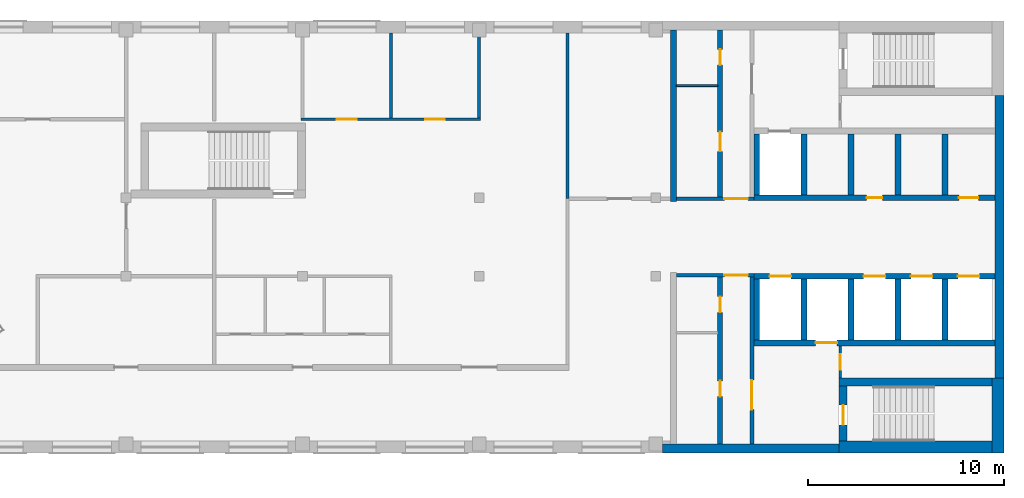
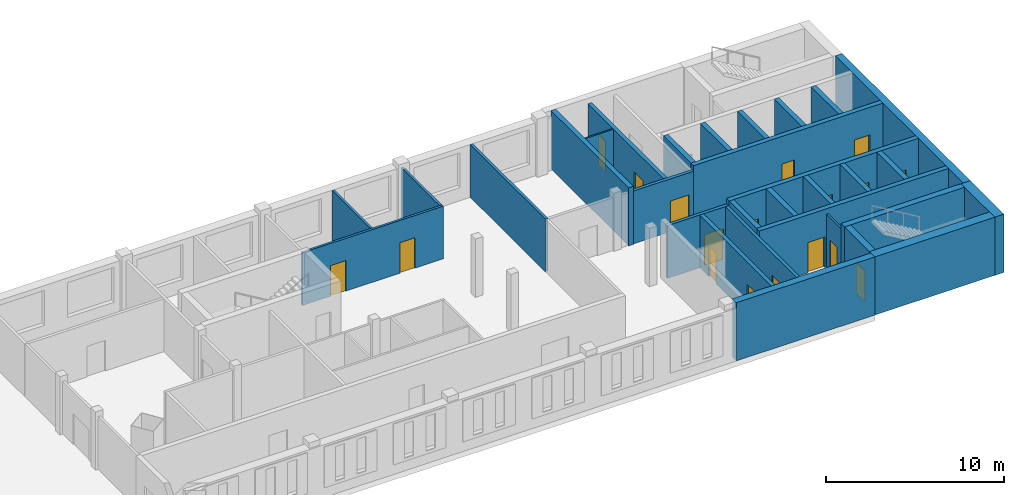
# One storey, part 3 of 5: 31 walls, 18 doors, 18 openings.
"""IFC4 building model written with IfcOpenShell, lengths in metres."""

from ifc_helpers import new_model, si_unit, direction, frame, frame_2d, origin, place, context, subcontext, project, spatial, rectangle, extrude, material, layer, layer_set, type_object, element, fill, save


model = new_model("IFC4")

# Units and contexts
model_context = context("Model", 3, precision=1e-05, world=origin(), true_north=direction((0.0, 1.0)))
body_context = subcontext(model_context, "Body", "Model", "MODEL_VIEW")
ifc_project = project(units=[si_unit("LENGTHUNIT", "METRE"), si_unit("AREAUNIT", "SQUARE_METRE"), si_unit("VOLUMEUNIT", "CUBIC_METRE"), si_unit("PLANEANGLEUNIT", "RADIAN"), si_unit("MASSUNIT", "GRAM", prefix="KILO")], contexts=[model_context])

# Site, building, storey
site_placement = place(None, origin())
site = spatial("IfcSite", under=ifc_project, at=site_placement, CompositionType="ELEMENT")
building_placement = place(site_placement, origin())
building = spatial("IfcBuilding", under=site, at=building_placement, Name="Skarvind Civic Tower", CompositionType="ELEMENT")
storey_placement = place(building_placement, frame((0.0, 0.0, 245.5)))
storey = spatial("IfcBuildingStorey", under=building, at=storey_placement, Name="L58", CompositionType="ELEMENT", Elevation=245.5)

# Wall
ifc_material_1 = material(Name="Acoustic gypsum board on steel studs", Category="steel")
ifc_layer_1 = layer(ifc_material_1, 0.175048828125)
ifc_layer_set_1 = layer_set([ifc_layer_1], Name="ACOUSTIC MEETING-ROOM PARTITION 175")
wall_type_1 = type_object("IfcWallType", Name="ACOUSTIC MEETING-ROOM PARTITION 175", PredefinedType="PARTITIONING", material=ifc_layer_set_1)
wall_1_placement = place(storey_placement, frame((85.75, 129.949951171875, 0.0), z_axis=(0.0, 0.0, 1.0), x_axis=(0.0, 1.0, 0.0)))
element("IfcWall", 1, at=wall_1_placement, inside=storey, type_object=wall_type_1, Name="Partition 58.021", PredefinedType="PARTITIONING", context=body_context, shape_type="SweptSolid", body=[
    extrude(rectangle(XDim=8.449951171875, YDim=0.175048828125, at=frame_2d((4.22509765625, 0.0))), origin(), (0.0, 0.0, 1.0), 3.625),
])

# Wall, opening, door
ifc_material_2 = material(Name="Fire-rated masonry partition", Category="masonry")
ifc_layer_2 = layer(ifc_material_2, 0.199951171875)
ifc_layer_set_2 = layer_set([ifc_layer_2], Name="Core enclosure wall 200")
wall_type_2 = type_object("IfcWallType", Name="Core enclosure wall 200", PredefinedType="PARTITIONING", material=ifc_layer_set_2)
wall_2_placement = place(storey_placement, frame((95.25, 126.050048828125, 0.0), z_axis=(0.0, 0.0, 1.0), x_axis=(-1.0, 0.0, 0.0)))
wall_2 = element("IfcWall", 2, at=wall_2_placement, inside=storey, type_object=wall_type_2, Name="Core wall C1", PredefinedType="PARTITIONING", context=body_context, shape_type="SweptSolid", body=[
    extrude(rectangle(XDim=3.949951171875, YDim=0.199951171875, at=frame_2d((1.97509765625, 0.0))), origin(), (0.0, 0.0, 1.0), 3.625),
])
opening_1_placement = place(wall_2_placement, frame((0.300048828125, 0.0, 0.0)))
opening_1 = element("IfcOpeningElement", 3, at=opening_1_placement, cuts=wall_2, Name="Opening D-L58-C1-07", PredefinedType="OPENING", context=body_context, shape_type="SweptSolid", body=[
    extrude(rectangle(XDim=1.199951171875, YDim=2.10009765625, at=frame_2d((0.60009765625, 1.050048828125))), frame((0.0, 0.10986328125, 0.0), z_axis=(0.0, -1.0, 0.0), x_axis=(1.0, 0.0, 0.0)), (0.0, 0.0, 1.0), 0.219970703125),
])
ifc_material_3 = material(Name="Fire-rated steel door", Category="steel")
door_type_1 = type_object("IfcDoorType", Name="Core lobby door 1200", OperationType="NOTDEFINED", PredefinedType="DOOR", material=ifc_material_3)
door_1_placement = place(opening_1_placement, origin())
door_1 = element("IfcDoor", 4, at=door_1_placement, inside=storey, type_object=door_type_1, Name="Fire door", OperationType="DOUBLE_DOOR_SINGLE_SWING", OverallHeight=2.10009765625, OverallWidth=1.199951171875, PredefinedType="DOOR", context=body_context, shape_type="SweptSolid", body=[
    extrude(rectangle(XDim=1.199951171875, YDim=2.10009765625, at=frame_2d((0.60009765625, 1.050048828125))), frame((0.0, 0.02490234375, 0.0), z_axis=(0.0, -1.0, 0.0), x_axis=(1.0, 0.0, 0.0)), (0.0, 0.0, 1.0), 0.050048828125),
])
fill(opening_1, door_1)

wall_3_placement = place(storey_placement, frame((95.14990234375, 117.449951171875, 0.0), z_axis=(0.0, 0.0, 1.0), x_axis=(0.0, 1.0, 0.0)))
wall_3 = element("IfcWall", 5, at=wall_3_placement, inside=storey, type_object=wall_type_2, Name="Core wall C1", PredefinedType="PARTITIONING", context=body_context, shape_type="SweptSolid", body=[
    extrude(rectangle(XDim=8.5, YDim=0.199951171875, at=frame_2d((4.25, 0.0))), origin(), (0.0, 0.0, 1.0), 3.625),
])
opening_2_placement = place(wall_3_placement, frame((1.75, 0.0, 0.0)))
opening_2 = element("IfcOpeningElement", 6, at=opening_2_placement, cuts=wall_3, Name="Opening D-L58-C1-08", PredefinedType="OPENING", context=body_context, shape_type="SweptSolid", body=[
    extrude(rectangle(XDim=1.5, YDim=2.10009765625, at=frame_2d((0.75, 1.050048828125))), frame((0.0, 0.10986328125, 0.0), z_axis=(0.0, -1.0, 0.0), x_axis=(1.0, 0.0, 0.0)), (0.0, 0.0, 1.0), 0.219970703125),
])
door_type_2 = type_object("IfcDoorType", Name="Fire door 1500", OperationType="NOTDEFINED", PredefinedType="DOOR", material=ifc_material_3)
door_2_placement = place(opening_2_placement, origin())
door_2 = element("IfcDoor", 7, at=door_2_placement, inside=storey, type_object=door_type_2, Name="Fire door", OperationType="DOUBLE_DOOR_SINGLE_SWING", OverallHeight=2.10009765625, OverallWidth=1.5, PredefinedType="DOOR", context=body_context, shape_type="SweptSolid", body=[
    extrude(rectangle(XDim=1.5, YDim=2.10009765625, at=frame_2d((0.75, 1.050048828125))), frame((0.0, 0.02490234375, 0.0), z_axis=(0.0, -1.0, 0.0), x_axis=(1.0, 0.0, 0.0)), (0.0, 0.0, 1.0), 0.050048828125),
])
fill(opening_2, door_2)

wall_4_placement = place(storey_placement, frame((91.300048828125, 129.949951171875, 0.0), z_axis=(0.0, 0.0, 1.0), x_axis=(1.0, 0.0, 0.0)))
wall_4 = element("IfcWall", 8, at=wall_4_placement, inside=storey, type_object=wall_type_2, Name="Core wall C1", PredefinedType="PARTITIONING", context=body_context, shape_type="SweptSolid", body=[
    extrude(rectangle(XDim=3.949951171875, YDim=0.199951171875, at=frame_2d((1.97509765625, 0.0))), origin(), (0.0, 0.0, 1.0), 3.625),
])
opening_3_placement = place(wall_4_placement, frame((2.449951171875, 0.0, 0.0)))
opening_3 = element("IfcOpeningElement", 9, at=opening_3_placement, cuts=wall_4, Name="Opening D-L58-C1-13", PredefinedType="OPENING", context=body_context, shape_type="SweptSolid", body=[
    extrude(rectangle(XDim=1.199951171875, YDim=2.10009765625, at=frame_2d((0.60009765625, 1.050048828125))), frame((0.0, 0.10986328125, 0.0), z_axis=(0.0, -1.0, 0.0), x_axis=(1.0, 0.0, 0.0)), (0.0, 0.0, 1.0), 0.219970703125),
])
door_3_placement = place(opening_3_placement, origin())
door_3 = element("IfcDoor", 10, at=door_3_placement, inside=storey, type_object=door_type_1, Name="Fire door", OperationType="DOUBLE_DOOR_SINGLE_SWING", OverallHeight=2.10009765625, OverallWidth=1.199951171875, PredefinedType="DOOR", context=body_context, shape_type="SweptSolid", body=[
    extrude(rectangle(XDim=1.199951171875, YDim=2.10009765625, at=frame_2d((0.60009765625, 1.050048828125))), frame((0.0, 0.02490234375, 0.0), z_axis=(0.0, -1.0, 0.0), x_axis=(1.0, 0.0, 0.0)), (0.0, 0.0, 1.0), 0.050048828125),
])
fill(opening_3, door_3)

# Wall
ifc_material_4 = material(Name="Fire-rated plasterboard partition")
ifc_layer_3 = layer(ifc_material_4, 0.10009765625)
ifc_layer_set_3 = layer_set([ifc_layer_3], Name="Core partition wall 100")
wall_type_3 = type_object("IfcWallType", Name="Core partition wall 100", PredefinedType="PARTITIONING", material=ifc_layer_set_3)
wall_5_placement = place(storey_placement, frame((91.300048828125, 135.719970703125, 0.0), z_axis=(0.0, 0.0, 1.0), x_axis=(1.0, 0.0, 0.0)))
element("IfcWall", 11, at=wall_5_placement, inside=storey, type_object=wall_type_3, Name="Core wall C1", PredefinedType="PARTITIONING", context=body_context, shape_type="SweptSolid", body=[
    extrude(rectangle(XDim=2.099853515625, YDim=0.10009765625, at=frame_2d((1.0498046875, 0.0))), origin(), (0.0, 0.0, 1.0), 3.625),
])

# Wall, openings, doors
ifc_material_5 = material(Name="Concrete C60", Category="concrete")
ifc_layer_4 = layer(ifc_material_5, 0.300048828125)
ifc_layer_set_4 = layer_set([ifc_layer_4], Name="Core wall 300 C60")
wall_type_4 = type_object("IfcWallType", Name="Core wall 300 C60", PredefinedType="SHEAR", material=ifc_layer_set_4)
wall_6_placement = place(storey_placement, frame((107.550048828125, 130.0, 0.0), z_axis=(0.0, 0.0, 1.0), x_axis=(-1.0, 0.0, 0.0)))
wall_6 = element("IfcWall", 12, at=wall_6_placement, inside=storey, type_object=wall_type_4, Name="Core wall C1 south lift row front L58", PredefinedType="SHEAR", context=body_context, shape_type="SweptSolid", body=[
    extrude(rectangle(XDim=12.300048828125, YDim=0.300048828125, at=frame_2d((6.14990234375, 0.0))), origin(), (0.0, 0.0, 1.0), 4.0),
])
opening_4_placement = place(wall_6_placement, frame((0.85009765625, 0.0, 0.0)))
opening_4 = element("IfcOpeningElement", 13, at=opening_4_placement, cuts=wall_6, Name="Opening D-L58-C1-05", PredefinedType="OPENING", context=body_context, shape_type="SweptSolid", body=[
    extrude(rectangle(XDim=1.0, YDim=2.10009765625, at=frame_2d((0.5, 1.050048828125))), frame((0.0, 0.159912109375, 0.0), z_axis=(0.0, -1.0, 0.0), x_axis=(1.0, 0.0, 0.0)), (0.0, 0.0, 1.0), 0.320068359375),
])
opening_5_placement = place(wall_6_placement, frame((5.75, 0.0, 0.0)))
opening_5 = element("IfcOpeningElement", 14, at=opening_5_placement, cuts=wall_6, Name="Opening D-L58-C1-06", PredefinedType="OPENING", context=body_context, shape_type="SweptSolid", body=[
    extrude(rectangle(XDim=0.800048828125, YDim=2.10009765625, at=frame_2d((0.39990234375, 1.050048828125))), frame((0.0, 0.159912109375, 0.0), z_axis=(0.0, -1.0, 0.0), x_axis=(1.0, 0.0, 0.0)), (0.0, 0.0, 1.0), 0.320068359375),
])
door_type_3 = type_object("IfcDoorType", Name="Core riser door 800", OperationType="NOTDEFINED", PredefinedType="DOOR", material=ifc_material_3)
door_4_placement = place(opening_5_placement, origin())
door_4 = element("IfcDoor", 15, at=door_4_placement, inside=storey, type_object=door_type_3, Name="Riser door", OperationType="SINGLE_SWING_RIGHT", OverallHeight=2.10009765625, OverallWidth=0.800048828125, PredefinedType="DOOR", context=body_context, shape_type="SweptSolid", body=[
    extrude(rectangle(XDim=0.800048828125, YDim=2.10009765625, at=frame_2d((0.39990234375, 1.050048828125))), frame((0.0, 0.02490234375, 0.0), z_axis=(0.0, -1.0, 0.0), x_axis=(1.0, 0.0, 0.0)), (0.0, 0.0, 1.0), 0.050048828125),
])
fill(opening_5, door_4)
door_type_4 = type_object("IfcDoorType", Name="Fire door 1000", OperationType="NOTDEFINED", PredefinedType="DOOR", material=ifc_material_3)
door_5_placement = place(opening_4_placement, origin())
door_5 = element("IfcDoor", 16, at=door_5_placement, inside=storey, type_object=door_type_4, Name="Fire door", OperationType="SINGLE_SWING_LEFT", OverallHeight=2.10009765625, OverallWidth=1.0, PredefinedType="DOOR", context=body_context, shape_type="SweptSolid", body=[
    extrude(rectangle(XDim=1.0, YDim=2.10009765625, at=frame_2d((0.5, 1.050048828125))), frame((0.0, 0.02490234375, 0.0), z_axis=(0.0, -1.0, 0.0), x_axis=(1.0, 0.0, 0.0)), (0.0, 0.0, 1.0), 0.050048828125),
])
fill(opening_4, door_5)

# Walls
for number, where, z_axis, x_axis, name in (
    (17, (105.0, 133.25, 0.0), (0.0, 0.0, 1.0), (0.0, -1.0, 0.0), "Core wall C1 south lift row division 1 L58"),
    (18, (102.60009765625, 133.25, 0.0), (0.0, 0.0, 1.0), (0.0, -1.0, 0.0), "Core wall C1 south lift row division 2 L58"),
    (19, (100.199951171875, 133.25, 0.0), (0.0, 0.0, 1.0), (0.0, -1.0, 0.0), "Core wall C1 south lift row division 3 L58"),
    (20, (97.800048828125, 133.25, 0.0), (0.0, 0.0, 1.0), (0.0, -1.0, 0.0), "Core wall C1 south lift row division 4 L58"),
    (21, (95.39990234375, 133.25, 0.0), (0.0, 0.0, 1.0), (0.0, -1.0, 0.0), "Core wall C1 south lift row division 5 L58"),
):
    element("IfcWall", number, at=place(storey_placement, frame(where, z_axis=z_axis, x_axis=x_axis)), inside=storey, type_object=wall_type_4, Name=name, PredefinedType="SHEAR", context=body_context, shape_type="SweptSolid", body=[
        extrude(rectangle(XDim=3.10009765625, YDim=0.300048828125, at=frame_2d((1.550048828125, 0.0))), origin(), (0.0, 0.0, 1.0), 4.0),
    ])

# Wall, openings, doors
wall_7_placement = place(storey_placement, frame((107.550048828125, 126.0, 0.0), z_axis=(0.0, 0.0, 1.0), x_axis=(-1.0, 0.0, 0.0)))
wall_7 = element("IfcWall", 22, at=wall_7_placement, inside=storey, type_object=wall_type_4, Name="Core wall C1 north lift row front L58", PredefinedType="SHEAR", context=body_context, shape_type="SweptSolid", body=[
    extrude(rectangle(XDim=12.300048828125, YDim=0.300048828125, at=frame_2d((6.14990234375, 0.0))), origin(), (0.0, 0.0, 1.0), 4.0),
])
opening_6_placement = place(wall_7_placement, frame((0.800048828125, 0.0, 0.0)))
opening_6 = element("IfcOpeningElement", 23, at=opening_6_placement, cuts=wall_7, Name="Opening LD60101", PredefinedType="OPENING", context=body_context, shape_type="SweptSolid", body=[
    extrude(rectangle(XDim=1.10009765625, YDim=2.10009765625, at=frame_2d((0.550048828125, 1.050048828125))), frame((0.0, 0.159912109375, 0.0), z_axis=(0.0, -1.0, 0.0), x_axis=(1.0, 0.0, 0.0)), (0.0, 0.0, 1.0), 0.320068359375),
])
opening_7_placement = place(wall_7_placement, frame((3.199951171875, 0.0, 0.0)))
opening_7 = element("IfcOpeningElement", 24, at=opening_7_placement, cuts=wall_7, Name="Opening LD60102", PredefinedType="OPENING", context=body_context, shape_type="SweptSolid", body=[
    extrude(rectangle(XDim=1.10009765625, YDim=2.10009765625, at=frame_2d((0.550048828125, 1.050048828125))), frame((0.0, 0.159912109375, 0.0), z_axis=(0.0, -1.0, 0.0), x_axis=(1.0, 0.0, 0.0)), (0.0, 0.0, 1.0), 0.320068359375),
])
opening_8_placement = place(wall_7_placement, frame((5.60009765625, 0.0, 0.0)))
opening_8 = element("IfcOpeningElement", 25, at=opening_8_placement, cuts=wall_7, Name="Opening LD60103", PredefinedType="OPENING", context=body_context, shape_type="SweptSolid", body=[
    extrude(rectangle(XDim=1.10009765625, YDim=2.10009765625, at=frame_2d((0.550048828125, 1.050048828125))), frame((0.0, 0.159912109375, 0.0), z_axis=(0.0, -1.0, 0.0), x_axis=(1.0, 0.0, 0.0)), (0.0, 0.0, 1.0), 0.320068359375),
])
opening_9_placement = place(wall_7_placement, frame((10.39990234375, 0.0, 0.0)))
opening_9 = element("IfcOpeningElement", 26, at=opening_9_placement, cuts=wall_7, Name="Opening LD60105", PredefinedType="OPENING", context=body_context, shape_type="SweptSolid", body=[
    extrude(rectangle(XDim=1.10009765625, YDim=2.10009765625, at=frame_2d((0.550048828125, 1.050048828125))), frame((0.0, 0.159912109375, 0.0), z_axis=(0.0, -1.0, 0.0), x_axis=(1.0, 0.0, 0.0)), (0.0, 0.0, 1.0), 0.320068359375),
])
ifc_material_6 = material(Name="Stainless steel landing door", Category="steel")
door_type_5 = type_object("IfcDoorType", Name="Lift landing door 1100", OperationType="DOUBLE_DOOR_SLIDING", PredefinedType="DOOR", material=ifc_material_6)
door_6_placement = place(opening_6_placement, origin())
door_6 = element("IfcDoor", 27, at=door_6_placement, inside=storey, type_object=door_type_5, Name="Lift landing door", OperationType="DOUBLE_DOOR_SLIDING", OverallHeight=2.10009765625, OverallWidth=1.10009765625, PredefinedType="DOOR", context=body_context, shape_type="SweptSolid", body=[
    extrude(rectangle(XDim=1.10009765625, YDim=2.10009765625, at=frame_2d((0.550048828125, 1.050048828125))), frame((0.0, 0.02490234375, 0.0), z_axis=(0.0, -1.0, 0.0), x_axis=(1.0, 0.0, 0.0)), (0.0, 0.0, 1.0), 0.050048828125),
])
fill(opening_6, door_6)
door_7_placement = place(opening_7_placement, origin())
door_7 = element("IfcDoor", 28, at=door_7_placement, inside=storey, type_object=door_type_5, Name="Lift landing door", OperationType="DOUBLE_DOOR_SLIDING", OverallHeight=2.10009765625, OverallWidth=1.10009765625, PredefinedType="DOOR", context=body_context, shape_type="SweptSolid", body=[
    extrude(rectangle(XDim=1.10009765625, YDim=2.10009765625, at=frame_2d((0.550048828125, 1.050048828125))), frame((0.0, 0.02490234375, 0.0), z_axis=(0.0, -1.0, 0.0), x_axis=(1.0, 0.0, 0.0)), (0.0, 0.0, 1.0), 0.050048828125),
])
fill(opening_7, door_7)
door_8_placement = place(opening_8_placement, origin())
door_8 = element("IfcDoor", 29, at=door_8_placement, inside=storey, type_object=door_type_5, Name="Lift landing door", OperationType="DOUBLE_DOOR_SLIDING", OverallHeight=2.10009765625, OverallWidth=1.10009765625, PredefinedType="DOOR", context=body_context, shape_type="SweptSolid", body=[
    extrude(rectangle(XDim=1.10009765625, YDim=2.10009765625, at=frame_2d((0.550048828125, 1.050048828125))), frame((0.0, 0.02490234375, 0.0), z_axis=(0.0, -1.0, 0.0), x_axis=(1.0, 0.0, 0.0)), (0.0, 0.0, 1.0), 0.050048828125),
])
fill(opening_8, door_8)
door_9_placement = place(opening_9_placement, origin())
door_9 = element("IfcDoor", 30, at=door_9_placement, inside=storey, type_object=door_type_5, Name="Lift landing door", OperationType="DOUBLE_DOOR_SLIDING", OverallHeight=2.10009765625, OverallWidth=1.10009765625, PredefinedType="DOOR", context=body_context, shape_type="SweptSolid", body=[
    extrude(rectangle(XDim=1.10009765625, YDim=2.10009765625, at=frame_2d((0.550048828125, 1.050048828125))), frame((0.0, 0.02490234375, 0.0), z_axis=(0.0, -1.0, 0.0), x_axis=(1.0, 0.0, 0.0)), (0.0, 0.0, 1.0), 0.050048828125),
])
fill(opening_9, door_9)

# Wall, opening, door
wall_8_placement = place(storey_placement, frame((107.550048828125, 122.60009765625, 0.0), z_axis=(0.0, 0.0, 1.0), x_axis=(-1.0, 0.0, 0.0)))
wall_8 = element("IfcWall", 31, at=wall_8_placement, inside=storey, type_object=wall_type_4, Name="Core wall C1 north lift row back L58", PredefinedType="SHEAR", context=body_context, shape_type="SweptSolid", body=[
    extrude(rectangle(XDim=12.300048828125, YDim=0.300048828125, at=frame_2d((6.14990234375, 0.0))), origin(), (0.0, 0.0, 1.0), 4.0),
])
opening_10_placement = place(wall_8_placement, frame((8.050048828125, 0.0, 0.0)))
opening_10 = element("IfcOpeningElement", 32, at=opening_10_placement, cuts=wall_8, Name="Opening LD60104", PredefinedType="OPENING", context=body_context, shape_type="SweptSolid", body=[
    extrude(rectangle(XDim=1.10009765625, YDim=2.10009765625, at=frame_2d((0.550048828125, 1.050048828125))), frame((0.0, 0.159912109375, 0.0), z_axis=(0.0, -1.0, 0.0), x_axis=(1.0, 0.0, 0.0)), (0.0, 0.0, 1.0), 0.320068359375),
])
door_10_placement = place(opening_10_placement, origin())
door_10 = element("IfcDoor", 33, at=door_10_placement, inside=storey, type_object=door_type_5, Name="Lift landing door", OperationType="DOUBLE_DOOR_SLIDING", OverallHeight=2.10009765625, OverallWidth=1.10009765625, PredefinedType="DOOR", context=body_context, shape_type="SweptSolid", body=[
    extrude(rectangle(XDim=1.10009765625, YDim=2.10009765625, at=frame_2d((0.550048828125, 1.050048828125))), frame((0.0, 0.02490234375, 0.0), z_axis=(0.0, -1.0, 0.0), x_axis=(1.0, 0.0, 0.0)), (0.0, 0.0, 1.0), 0.050048828125),
])
fill(opening_10, door_10)

# Walls
for number, where, z_axis, x_axis, name in (
    (34, (105.0, 125.85009765625, 0.0), (0.0, 0.0, 1.0), (0.0, -1.0, 0.0), "Core wall C1 north lift row division 1 L58"),
    (35, (102.60009765625, 125.85009765625, 0.0), (0.0, 0.0, 1.0), (0.0, -1.0, 0.0), "Core wall C1 north lift row division 2 L58"),
    (36, (100.199951171875, 125.85009765625, 0.0), (0.0, 0.0, 1.0), (0.0, -1.0, 0.0), "Core wall C1 north lift row division 3 L58"),
    (37, (97.800048828125, 125.85009765625, 0.0), (0.0, 0.0, 1.0), (0.0, -1.0, 0.0), "Core wall C1 north lift row division 4 L58"),
    (38, (95.39990234375, 125.85009765625, 0.0), (0.0, 0.0, 1.0), (0.0, -1.0, 0.0), "Core wall C1 north lift row division 5 L58"),
):
    element("IfcWall", number, at=place(storey_placement, frame(where, z_axis=z_axis, x_axis=x_axis)), inside=storey, type_object=wall_type_4, Name=name, PredefinedType="SHEAR", context=body_context, shape_type="SweptSolid", body=[
        extrude(rectangle(XDim=3.10009765625, YDim=0.300048828125, at=frame_2d((1.550048828125, 0.0))), origin(), (0.0, 0.0, 1.0), 4.0),
    ])
wall_9_placement = place(storey_placement, frame((91.14990234375, 138.550048828125, 0.0), z_axis=(0.0, 0.0, 1.0), x_axis=(0.0, -1.0, 0.0)))
element("IfcWall", 39, at=wall_9_placement, inside=storey, type_object=wall_type_4, Name="Core wall C1 south inner face L58", PredefinedType="SHEAR", context=body_context, shape_type="SweptSolid", body=[
    extrude(rectangle(XDim=8.75, YDim=0.300048828125, at=frame_2d((4.375, 0.0))), origin(), (0.0, 0.0, 1.0), 4.0),
])
ifc_layer_5 = layer(ifc_material_5, 0.39990234375)
ifc_layer_set_5 = layer_set([ifc_layer_5], Name="Core wall 400 C60")
wall_type_5 = type_object("IfcWallType", Name="Core wall 400 C60", PredefinedType="SHEAR", material=ifc_layer_set_5)
wall_10_placement = place(storey_placement, frame((107.39990234375, 120.60009765625, 0.0), z_axis=(0.0, 0.0, 1.0), x_axis=(-1.0, 0.0, 0.0)))
element("IfcWall", 40, at=wall_10_placement, inside=storey, type_object=wall_type_5, Name="Core wall C1 north stair inner L58", PredefinedType="SHEAR", context=body_context, shape_type="SweptSolid", body=[
    extrude(rectangle(XDim=7.7998046875, YDim=0.39990234375, at=frame_2d((3.89990234375, 0.0))), origin(), (0.0, 0.0, 1.0), 4.0),
])

# Wall, opening, door
wall_11_placement = place(storey_placement, frame((99.800048828125, 120.39990234375, 0.0), z_axis=(0.0, 0.0, 1.0), x_axis=(0.0, -1.0, 0.0)))
wall_11 = element("IfcWall", 41, at=wall_11_placement, inside=storey, type_object=wall_type_5, Name="Core wall C1 north stair end L58", PredefinedType="SHEAR", context=body_context, shape_type="SweptSolid", body=[
    extrude(rectangle(XDim=2.7998046875, YDim=0.39990234375, at=frame_2d((1.39990234375, 0.0))), origin(), (0.0, 0.0, 1.0), 4.0),
])
opening_11_placement = place(wall_11_placement, frame((0.97509765625, 0.0, 0.0)))
opening_11 = element("IfcOpeningElement", 42, at=opening_11_placement, cuts=wall_11, Name="Opening D-L58-C1-09", PredefinedType="OPENING", context=body_context, shape_type="SweptSolid", body=[
    extrude(rectangle(XDim=1.0, YDim=2.10009765625, at=frame_2d((0.5, 1.050048828125))), frame((0.0, 0.2099609375, 0.0), z_axis=(0.0, -1.0, 0.0), x_axis=(1.0, 0.0, 0.0)), (0.0, 0.0, 1.0), 0.419921875),
])
door_11_placement = place(opening_11_placement, origin())
door_11 = element("IfcDoor", 43, at=door_11_placement, inside=storey, type_object=door_type_4, Name="Fire door", OperationType="SINGLE_SWING_LEFT", OverallHeight=2.10009765625, OverallWidth=1.0, PredefinedType="DOOR", context=body_context, shape_type="SweptSolid", body=[
    extrude(rectangle(XDim=1.0, YDim=2.10009765625, at=frame_2d((0.5, 1.050048828125))), frame((0.0, 0.02490234375, 0.0), z_axis=(0.0, -1.0, 0.0), x_axis=(1.0, 0.0, 0.0)), (0.0, 0.0, 1.0), 0.050048828125),
])
fill(opening_11, door_11)

# Walls
ifc_layer_6 = layer(ifc_material_5, 0.449951171875)
ifc_layer_set_6 = layer_set([ifc_layer_6], Name="Core wall 450 C60")
wall_type_6 = type_object("IfcWallType", Name="Core wall 450 C60", PredefinedType="SHEAR", material=ifc_layer_set_6)
wall_12_placement = place(storey_placement, frame((107.77490234375, 135.199951171875, 0.0), z_axis=(0.0, 0.0, 1.0), x_axis=(0.0, -1.0, 0.0)))
element("IfcWall", 44, at=wall_12_placement, inside=storey, type_object=wall_type_6, Name="Core wall C1 tip between the stairs L58", PredefinedType="SHEAR", context=body_context, shape_type="SweptSolid", body=[
    extrude(rectangle(XDim=14.39990234375, YDim=0.449951171875, at=frame_2d((7.199951171875, 0.0))), origin(), (0.0, 0.0, 1.0), 4.0),
])
wall_13_placement = place(storey_placement, frame((99.60009765625, 117.22509765625, 0.0), z_axis=(0.0, 0.0, 1.0), x_axis=(-1.0, 0.0, 0.0)))
element("IfcWall", 45, at=wall_13_placement, inside=storey, type_object=wall_type_6, Name="Core wall C1 north side L58", PredefinedType="SHEAR", context=body_context, shape_type="SweptSolid", body=[
    extrude(rectangle(XDim=9.0, YDim=0.449951171875, at=frame_2d((4.5, 0.0))), origin(), (0.0, 0.0, 1.0), 4.0),
])
ifc_layer_7 = layer(ifc_material_5, 0.60009765625)
ifc_layer_set_7 = layer_set([ifc_layer_7], Name="Core wall 600 C60")
wall_type_7 = type_object("IfcWallType", Name="Core wall 600 C60", PredefinedType="SHEAR", material=ifc_layer_set_7)
wall_14_placement = place(storey_placement, frame((107.699951171875, 120.800048828125, 0.0), z_axis=(0.0, 0.0, 1.0), x_axis=(0.0, -1.0, 0.0)))
element("IfcWall", 46, at=wall_14_placement, inside=storey, type_object=wall_type_7, Name="Core wall C1 tip at the north stair L58", PredefinedType="SHEAR", context=body_context, shape_type="SweptSolid", body=[
    extrude(rectangle(XDim=3.800048828125, YDim=0.60009765625, at=frame_2d((1.89990234375, 0.0))), origin(), (0.0, 0.0, 1.0), 4.0),
])
wall_15_placement = place(storey_placement, frame((107.39990234375, 117.300048828125, 0.0), z_axis=(0.0, 0.0, 1.0), x_axis=(-1.0, 0.0, 0.0)))
element("IfcWall", 47, at=wall_15_placement, inside=storey, type_object=wall_type_7, Name="Core wall C1 north side at the stair L58", PredefinedType="SHEAR", context=body_context, shape_type="SweptSolid", body=[
    extrude(rectangle(XDim=7.7998046875, YDim=0.60009765625, at=frame_2d((3.89990234375, 0.0))), origin(), (0.0, 0.0, 1.0), 4.0),
])

# Wall, openings, doors
ifc_material_7 = material(Name="Plasterboard partition on steel studs", Category="steel")
ifc_layer_8 = layer(ifc_material_7, 0.14990234375)
ifc_layer_set_8 = layer_set([ifc_layer_8], Name="PARTITION 150")
wall_type_8 = type_object("IfcWallType", Name="PARTITION 150", PredefinedType="PARTITIONING", material=ifc_layer_set_8)
wall_16_placement = place(storey_placement, frame((81.324951171875, 134.0, 0.0), z_axis=(0.0, 0.0, 1.0), x_axis=(-1.0, 0.0, 0.0)))
wall_16 = element("IfcWall", 48, at=wall_16_placement, inside=storey, type_object=wall_type_8, Name="Partition 58.015", PredefinedType="PARTITIONING", context=body_context, shape_type="SweptSolid", body=[
    extrude(rectangle(XDim=9.14990234375, YDim=0.14990234375, at=frame_2d((4.574951171875, 0.0))), origin(), (0.0, 0.0, 1.0), 3.625),
])
opening_12_placement = place(wall_16_placement, frame((1.824951171875, 0.0, 0.0)))
opening_12 = element("IfcOpeningElement", 49, at=opening_12_placement, cuts=wall_16, Name="Opening L58-D006", PredefinedType="OPENING", context=body_context, shape_type="SweptSolid", body=[
    extrude(rectangle(XDim=1.0, YDim=2.10009765625, at=frame_2d((0.5, 1.050048828125))), frame((0.0, 0.0849609375, 0.0), z_axis=(0.0, -1.0, 0.0), x_axis=(1.0, 0.0, 0.0)), (0.0, 0.0, 1.0), 0.169921875),
])
opening_13_placement = place(wall_16_placement, frame((6.324951171875, 0.0, 0.0)))
opening_13 = element("IfcOpeningElement", 50, at=opening_13_placement, cuts=wall_16, Name="Opening L58-D007", PredefinedType="OPENING", context=body_context, shape_type="SweptSolid", body=[
    extrude(rectangle(XDim=1.0, YDim=2.10009765625, at=frame_2d((0.5, 1.050048828125))), frame((0.0, 0.0849609375, 0.0), z_axis=(0.0, -1.0, 0.0), x_axis=(1.0, 0.0, 0.0)), (0.0, 0.0, 1.0), 0.169921875),
])
ifc_material_8 = material(Name="Timber door leaf", Category="wood")
door_type_6 = type_object("IfcDoorType", Name="D1 1000x2100", OperationType="NOTDEFINED", PredefinedType="DOOR", material=ifc_material_8)
door_12_placement = place(opening_12_placement, origin())
door_12 = element("IfcDoor", 51, at=door_12_placement, inside=storey, type_object=door_type_6, Name="Door L58-D006", OperationType="SINGLE_SWING_LEFT", OverallHeight=2.10009765625, OverallWidth=1.0, PredefinedType="DOOR", context=body_context, shape_type="SweptSolid", body=[
    extrude(rectangle(XDim=1.0, YDim=2.10009765625, at=frame_2d((0.5, 1.050048828125))), frame((0.0, 0.02490234375, 0.0), z_axis=(0.0, -1.0, 0.0), x_axis=(1.0, 0.0, 0.0)), (0.0, 0.0, 1.0), 0.050048828125),
])
fill(opening_12, door_12)
door_13_placement = place(opening_13_placement, origin())
door_13 = element("IfcDoor", 52, at=door_13_placement, inside=storey, type_object=door_type_6, Name="Door L58-D007", OperationType="SINGLE_SWING_RIGHT", OverallHeight=2.10009765625, OverallWidth=1.0, PredefinedType="DOOR", context=body_context, shape_type="SweptSolid", body=[
    extrude(rectangle(XDim=1.0, YDim=2.10009765625, at=frame_2d((0.5, 1.050048828125))), frame((0.0, 0.02490234375, 0.0), z_axis=(0.0, -1.0, 0.0), x_axis=(1.0, 0.0, 0.0)), (0.0, 0.0, 1.0), 0.050048828125),
])
fill(opening_13, door_13)

# Walls
for number, where, z_axis, x_axis, name in (
    (53, (76.75, 134.074951171875, 0.0), (0.0, 0.0, 1.0), (0.0, 1.0, 0.0), "Partition 58.018"),
    (54, (81.25, 138.39990234375, 0.0), (0.0, 0.0, 1.0), (0.0, -1.0, 0.0), "Partition 58.019"),
):
    element("IfcWall", number, at=place(storey_placement, frame(where, z_axis=z_axis, x_axis=x_axis)), inside=storey, type_object=wall_type_8, Name=name, PredefinedType="PARTITIONING", context=body_context, shape_type="SweptSolid", body=[
        extrude(rectangle(XDim=4.324951171875, YDim=0.14990234375, at=frame_2d((2.16259765625, 0.0))), origin(), (0.0, 0.0, 1.0), 3.625),
    ])

# Wall, opening, door
ifc_layer_9 = layer(ifc_material_2, 0.125)
ifc_layer_set_9 = layer_set([ifc_layer_9], Name="Riser wall 125")
wall_type_9 = type_object("IfcWallType", Name="Riser wall 125", PredefinedType="PARTITIONING", material=ifc_layer_set_9)
wall_17_placement = place(storey_placement, frame((99.66259765625, 120.800048828125, 0.0), z_axis=(0.0, 0.0, 1.0), x_axis=(0.0, 1.0, 0.0)))
wall_17 = element("IfcWall", 55, at=wall_17_placement, inside=storey, type_object=wall_type_9, Name="Core wall C1", PredefinedType="PARTITIONING", context=body_context, shape_type="SweptSolid", body=[
    extrude(rectangle(XDim=1.64990234375, YDim=0.125, at=frame_2d((0.824951171875, 0.0))), origin(), (0.0, 0.0, 1.0), 3.625),
])
opening_14_placement = place(wall_17_placement, frame((0.425048828125, 0.0, 0.0)))
opening_14 = element("IfcOpeningElement", 56, at=opening_14_placement, cuts=wall_17, Name="Opening D-L58-C1-10", PredefinedType="OPENING", context=body_context, shape_type="SweptSolid", body=[
    extrude(rectangle(XDim=0.800048828125, YDim=2.10009765625, at=frame_2d((0.39990234375, 1.050048828125))), frame((0.0, 0.072509765625, 0.0), z_axis=(0.0, -1.0, 0.0), x_axis=(1.0, 0.0, 0.0)), (0.0, 0.0, 1.0), 0.14501953125),
])
door_14_placement = place(opening_14_placement, origin())
door_14 = element("IfcDoor", 57, at=door_14_placement, inside=storey, type_object=door_type_3, Name="Riser door", OperationType="SINGLE_SWING_RIGHT", OverallHeight=2.10009765625, OverallWidth=0.800048828125, PredefinedType="DOOR", context=body_context, shape_type="SweptSolid", body=[
    extrude(rectangle(XDim=0.800048828125, YDim=2.10009765625, at=frame_2d((0.39990234375, 1.050048828125))), frame((0.0, 0.02490234375, 0.0), z_axis=(0.0, -1.0, 0.0), x_axis=(1.0, 0.0, 0.0)), (0.0, 0.0, 1.0), 0.050048828125),
])
fill(opening_14, door_14)

# Wall, openings, doors
ifc_layer_10 = layer(ifc_material_2, 0.25)
ifc_layer_set_10 = layer_set([ifc_layer_10], Name="Service block wall 250")
wall_type_10 = type_object("IfcWallType", Name="Service block wall 250", PredefinedType="PARTITIONING", material=ifc_layer_set_10)
wall_18_placement = place(storey_placement, frame((93.52490234375, 117.449951171875, 0.0), z_axis=(0.0, 0.0, 1.0), x_axis=(0.0, 1.0, 0.0)))
wall_18 = element("IfcWall", 58, at=wall_18_placement, inside=storey, type_object=wall_type_10, Name="Core wall C1", PredefinedType="PARTITIONING", context=body_context, shape_type="SweptSolid", body=[
    extrude(rectangle(XDim=8.5, YDim=0.25, at=frame_2d((4.25, 0.0))), origin(), (0.0, 0.0, 1.0), 3.625),
])
opening_15_placement = place(wall_18_placement, frame((6.7099609375, 0.0, 0.0)))
opening_15 = element("IfcOpeningElement", 59, at=opening_15_placement, cuts=wall_18, Name="Opening D-L58-C1-11", PredefinedType="OPENING", context=body_context, shape_type="SweptSolid", body=[
    extrude(rectangle(XDim=0.800048828125, YDim=2.10009765625, at=frame_2d((0.39990234375, 1.050048828125))), frame((0.0, 0.135009765625, 0.0), z_axis=(0.0, -1.0, 0.0), x_axis=(1.0, 0.0, 0.0)), (0.0, 0.0, 1.0), 0.27001953125),
])
opening_16_placement = place(wall_18_placement, frame((2.409912109375, 0.0, 0.0)))
opening_16 = element("IfcOpeningElement", 60, at=opening_16_placement, cuts=wall_18, Name="Opening D-L58-C1-12", PredefinedType="OPENING", context=body_context, shape_type="SweptSolid", body=[
    extrude(rectangle(XDim=0.800048828125, YDim=2.10009765625, at=frame_2d((0.39990234375, 1.050048828125))), frame((0.0, 0.135009765625, 0.0), z_axis=(0.0, -1.0, 0.0), x_axis=(1.0, 0.0, 0.0)), (0.0, 0.0, 1.0), 0.27001953125),
])
door_15_placement = place(opening_15_placement, origin())
door_15 = element("IfcDoor", 61, at=door_15_placement, inside=storey, type_object=door_type_3, Name="Riser door", OperationType="SINGLE_SWING_LEFT", OverallHeight=2.10009765625, OverallWidth=0.800048828125, PredefinedType="DOOR", context=body_context, shape_type="SweptSolid", body=[
    extrude(rectangle(XDim=0.800048828125, YDim=2.10009765625, at=frame_2d((0.39990234375, 1.050048828125))), frame((0.0, 0.02490234375, 0.0), z_axis=(0.0, -1.0, 0.0), x_axis=(1.0, 0.0, 0.0)), (0.0, 0.0, 1.0), 0.050048828125),
])
fill(opening_15, door_15)
door_16_placement = place(opening_16_placement, origin())
door_16 = element("IfcDoor", 62, at=door_16_placement, inside=storey, type_object=door_type_3, Name="Riser door", OperationType="SINGLE_SWING_RIGHT", OverallHeight=2.10009765625, OverallWidth=0.800048828125, PredefinedType="DOOR", context=body_context, shape_type="SweptSolid", body=[
    extrude(rectangle(XDim=0.800048828125, YDim=2.10009765625, at=frame_2d((0.39990234375, 1.050048828125))), frame((0.0, 0.02490234375, 0.0), z_axis=(0.0, -1.0, 0.0), x_axis=(1.0, 0.0, 0.0)), (0.0, 0.0, 1.0), 0.050048828125),
])
fill(opening_16, door_16)

wall_19_placement = place(storey_placement, frame((93.52490234375, 130.050048828125, 0.0), z_axis=(0.0, 0.0, 1.0), x_axis=(0.0, 1.0, 0.0)))
wall_19 = element("IfcWall", 63, at=wall_19_placement, inside=storey, type_object=wall_type_10, Name="Core wall C1", PredefinedType="PARTITIONING", context=body_context, shape_type="SweptSolid", body=[
    extrude(rectangle(XDim=8.5, YDim=0.25, at=frame_2d((4.25, 0.0))), origin(), (0.0, 0.0, 1.0), 3.625),
])
opening_17_placement = place(wall_19_placement, frame((2.31005859375, 0.0, 0.0)))
opening_17 = element("IfcOpeningElement", 64, at=opening_17_placement, cuts=wall_19, Name="Opening D-L58-C1-17", PredefinedType="OPENING", context=body_context, shape_type="SweptSolid", body=[
    extrude(rectangle(XDim=1.0, YDim=2.10009765625, at=frame_2d((0.5, 1.050048828125))), frame((0.0, 0.135009765625, 0.0), z_axis=(0.0, -1.0, 0.0), x_axis=(1.0, 0.0, 0.0)), (0.0, 0.0, 1.0), 0.27001953125),
])
opening_18_placement = place(wall_19_placement, frame((6.7099609375, 0.0, 0.0)))
opening_18 = element("IfcOpeningElement", 65, at=opening_18_placement, cuts=wall_19, Name="Opening D-L58-C1-18", PredefinedType="OPENING", context=body_context, shape_type="SweptSolid", body=[
    extrude(rectangle(XDim=0.800048828125, YDim=2.10009765625, at=frame_2d((0.39990234375, 1.050048828125))), frame((0.0, 0.135009765625, 0.0), z_axis=(0.0, -1.0, 0.0), x_axis=(1.0, 0.0, 0.0)), (0.0, 0.0, 1.0), 0.27001953125),
])
door_17_placement = place(opening_18_placement, origin())
door_17 = element("IfcDoor", 66, at=door_17_placement, inside=storey, type_object=door_type_3, Name="Riser door", OperationType="SINGLE_SWING_LEFT", OverallHeight=2.10009765625, OverallWidth=0.800048828125, PredefinedType="DOOR", context=body_context, shape_type="SweptSolid", body=[
    extrude(rectangle(XDim=0.800048828125, YDim=2.10009765625, at=frame_2d((0.39990234375, 1.050048828125))), frame((0.0, 0.02490234375, 0.0), z_axis=(0.0, -1.0, 0.0), x_axis=(1.0, 0.0, 0.0)), (0.0, 0.0, 1.0), 0.050048828125),
])
fill(opening_18, door_17)
door_18_placement = place(opening_17_placement, origin())
door_18 = element("IfcDoor", 67, at=door_18_placement, inside=storey, type_object=door_type_4, Name="Fire door", OperationType="SINGLE_SWING_RIGHT", OverallHeight=2.10009765625, OverallWidth=1.0, PredefinedType="DOOR", context=body_context, shape_type="SweptSolid", body=[
    extrude(rectangle(XDim=1.0, YDim=2.10009765625, at=frame_2d((0.5, 1.050048828125))), frame((0.0, 0.02490234375, 0.0), z_axis=(0.0, -1.0, 0.0), x_axis=(1.0, 0.0, 0.0)), (0.0, 0.0, 1.0), 0.050048828125),
])
fill(opening_17, door_18)

save(model, "model.ifc")
